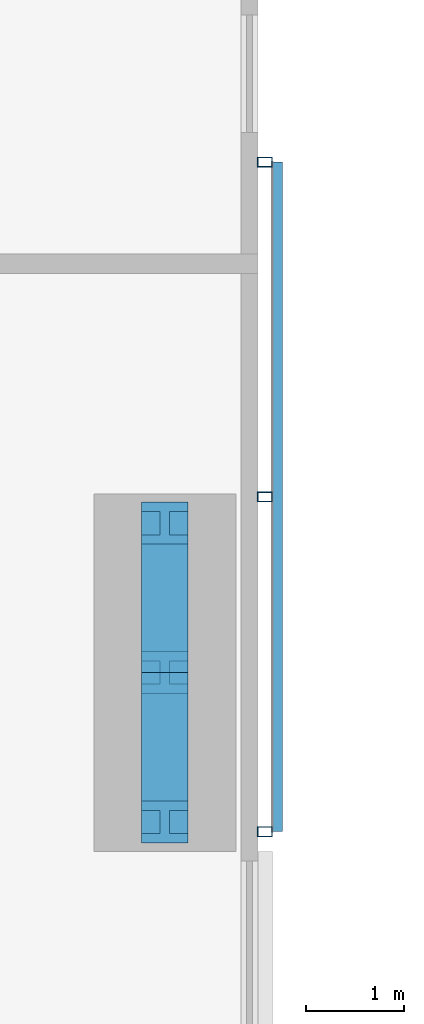
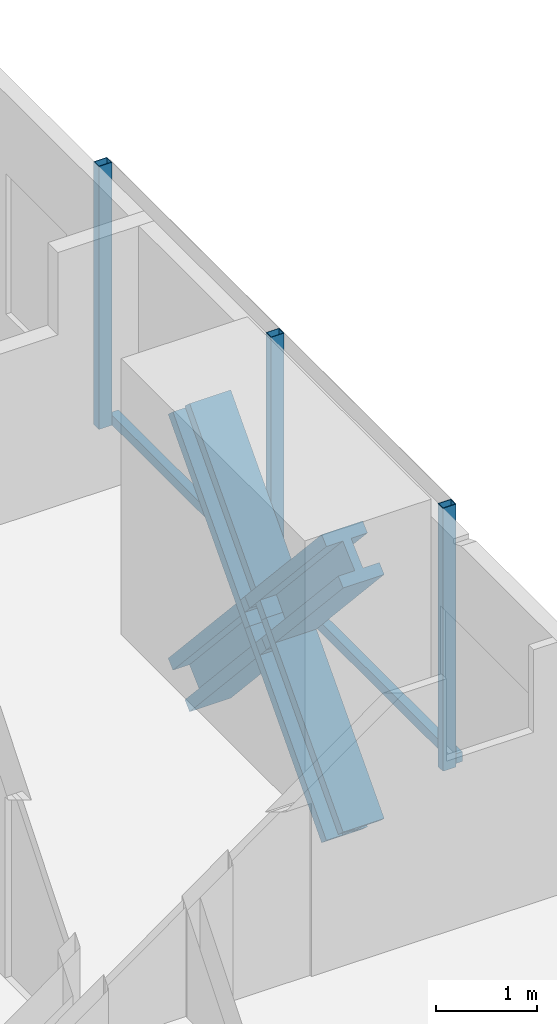
# One storey, part 10 of 22: 8 members, 1 element without a shape of its own.
"""IFC4 building model written with IfcOpenShell, lengths in metres."""

from ifc_helpers import new_model, si_unit, direction, frame, origin, origin_2d, place, context, subcontext, project, spatial, rectangle, hollow_rectangle, i_section, extrude, material, material_profile, profile_set, type_object, element, aggregate, save


model = new_model("IFC4")

# Units and contexts
model_context = context("Model", 3, precision=1e-05, world=origin(), true_north=direction((0.0, 1.0)))
body_context = subcontext(model_context, "Body", "Model", "MODEL_VIEW")
ifc_project = project(units=[si_unit("LENGTHUNIT", "METRE"), si_unit("AREAUNIT", "SQUARE_METRE"), si_unit("VOLUMEUNIT", "CUBIC_METRE"), si_unit("PLANEANGLEUNIT", "RADIAN"), si_unit("MASSUNIT", "GRAM", prefix="KILO")], contexts=[model_context])

# Site, building, storey
site_placement = place(None, origin())
site = spatial("IfcSite", under=ifc_project, at=site_placement, CompositionType="ELEMENT")
building_placement = place(site_placement, origin())
building = spatial("IfcBuilding", under=site, at=building_placement, Name="Jalousie Tower", CompositionType="ELEMENT")
storey_placement = place(building_placement, frame((0.0, 0.0, 204.60009765625)))
storey = spatial("IfcBuildingStorey", under=building, at=storey_placement, Name="L56", CompositionType="ELEMENT", Elevation=204.60009765625)

# Members
ifc_material_1 = material(Name="Steel ASTM A992 Grade 50", Category="steel")
ifc_material_profile_1 = material_profile(ifc_material_1, i_section(OverallWidth=0.472412109375, OverallDepth=0.5791015625, WebThickness=0.094970703125, FlangeThickness=0.1298828125, at=origin_2d()), Name="W14X808")
ifc_profile_set_1 = profile_set([ifc_material_profile_1], Name="Steel ASTM A992 Grade 50")
member_type_1 = type_object("IfcMemberType", Name="PERIMETER BRACE W14X808", PredefinedType="BRACE", material=ifc_profile_set_1)
for number, where, z_axis, x_axis, name in (
    (1, (52.050048828125, 23.47509765625, -0.60009765625), (0.0, 0.673187629365, 0.739471713908), (-1.0, 0.0, 0.0), "Perimeter brace 07 L56 part 1"),
    (2, (52.050048828125, 25.0, 1.074951171875), (0.0, 0.673187629365, 0.739471713908), (-1.0, 0.0, 0.0), "Perimeter brace 07 L56 part 2"),
    (3, (52.050048828125, 26.52490234375, -0.60009765625), (0.0, -0.673187629365, 0.739471713908), (1.0, 0.0, 0.0), "Perimeter brace 07 L56 part 3"),
    (4, (52.050048828125, 25.0, 1.074951171875), (0.0, -0.673187629365, 0.739471713908), (1.0, 0.0, 0.0), "Perimeter brace 07 L56 part 4"),
):
    element("IfcMember", number, at=place(storey_placement, frame(where, z_axis=z_axis, x_axis=x_axis)), inside=storey, type_object=member_type_1, Name=name, PredefinedType="BRACE", context=body_context, shape_type="SweptSolid", body=[
        extrude(i_section(OverallWidth=0.472412109375, OverallDepth=0.5791015625, WebThickness=0.094970703125, FlangeThickness=0.1298828125, at=origin_2d()), origin(), (0.0, 0.0, 1.0), 2.26513671875),
    ])

# Curtain wall, members
ifc_material_2 = material(Name="Perforated aluminium sheet", Category="aluminium")
curtain_wall_type = type_object("IfcCurtainWallType", Name="SOLAR SCREEN SS-1", PredefinedType="USERDEFINED", material=ifc_material_2)
curtain_wall_placement = place(storey_placement, origin())
curtain_wall = element("IfcCurtainWall", 5, at=curtain_wall_placement, inside=storey, type_object=curtain_wall_type, Name="Solar screen L56", ObjectType="SOLAR SCREEN SS-1", PredefinedType="USERDEFINED")
ifc_material_3 = material(Name="Steel ASTM A500 Grade C", Category="steel")
ifc_material_profile_2 = material_profile(ifc_material_3, hollow_rectangle(XDim=0.1015625, YDim=0.15234375, WallThickness=0.00634765625, at=origin_2d()), Name="HSS6X4X1/4")
ifc_profile_set_2 = profile_set([ifc_material_profile_2], Name="Steel ASTM A500 Grade C")
member_type_2 = type_object("IfcMemberType", Name="SOLAR SCREEN SS-1 MULLION", PredefinedType="MULLION", material=ifc_profile_set_2)
member_1_placement = place(storey_placement, frame((53.0712890625, 23.375, -0.1201171875), z_axis=(0.0, 0.0, 1.0), x_axis=(0.0, 1.0, 0.0)))
member_1 = element("IfcMember", 6, at=member_1_placement, type_object=member_type_2, Name="SS1 post 1", PredefinedType="MULLION", context=body_context, shape_type="SweptSolid", body=[
    extrude(hollow_rectangle(XDim=0.1015625, YDim=0.15234375, WallThickness=0.00634765625, at=origin_2d()), origin(), (0.0, 0.0, 1.0), 3.18994140625),
])
member_2_placement = place(storey_placement, frame((53.0712890625, 26.79345703125, -0.1201171875), z_axis=(0.0, 0.0, 1.0), x_axis=(0.0, 1.0, 0.0)))
member_2 = element("IfcMember", 7, at=member_2_placement, type_object=member_type_2, Name="SS1 post 2", PredefinedType="MULLION", context=body_context, shape_type="SweptSolid", body=[
    extrude(hollow_rectangle(XDim=0.1015625, YDim=0.15234375, WallThickness=0.00634765625, at=origin_2d()), origin(), (0.0, 0.0, 1.0), 3.18994140625),
])
member_3_placement = place(storey_placement, frame((53.0712890625, 30.2119140625, -0.1201171875), z_axis=(0.0, 0.0, 1.0), x_axis=(0.0, 1.0, 0.0)))
member_3 = element("IfcMember", 8, at=member_3_placement, type_object=member_type_2, Name="SS1 post 3", PredefinedType="MULLION", context=body_context, shape_type="SweptSolid", body=[
    extrude(hollow_rectangle(XDim=0.1015625, YDim=0.15234375, WallThickness=0.00634765625, at=origin_2d()), origin(), (0.0, 0.0, 1.0), 3.18994140625),
])
ifc_material_4 = material(Name="Extruded aluminium screen rail", Category="aluminium")
ifc_material_profile_3 = material_profile(ifc_material_4, rectangle(XDim=0.1015625, YDim=0.1201171875, at=origin_2d()), Name="RAIL 102x120")
ifc_profile_set_3 = profile_set([ifc_material_profile_3], Name="Extruded aluminium screen rail")
member_type_3 = type_object("IfcMemberType", Name="SOLAR SCREEN SS-1 TRANSOM", PredefinedType="USERDEFINED", material=ifc_profile_set_3)
member_4_placement = place(storey_placement, frame((53.1982421875, 23.375, -0.06005859375), z_axis=(0.0, 1.0, 0.0), x_axis=(-1.0, 0.0, 0.0)))
member_4 = element("IfcMember", 9, at=member_4_placement, type_object=member_type_3, Name="SS1 rail", ObjectType="TRANSOM", PredefinedType="USERDEFINED", context=body_context, shape_type="SweptSolid", body=[
    extrude(rectangle(XDim=0.1015625, YDim=0.1201171875, at=origin_2d()), origin(), (0.0, 0.0, 1.0), 6.8369140625),
])
aggregate(curtain_wall, [member_1, member_2, member_3, member_4])

save(model, "model.ifc")
